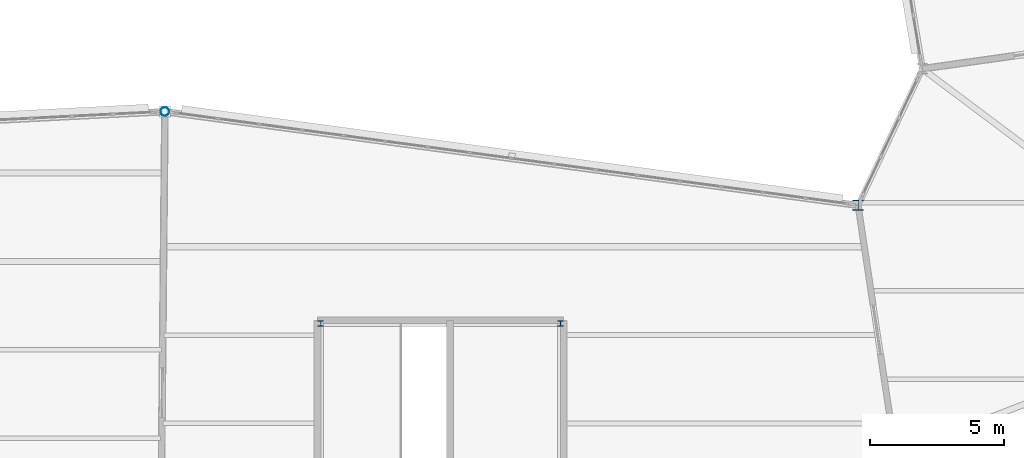
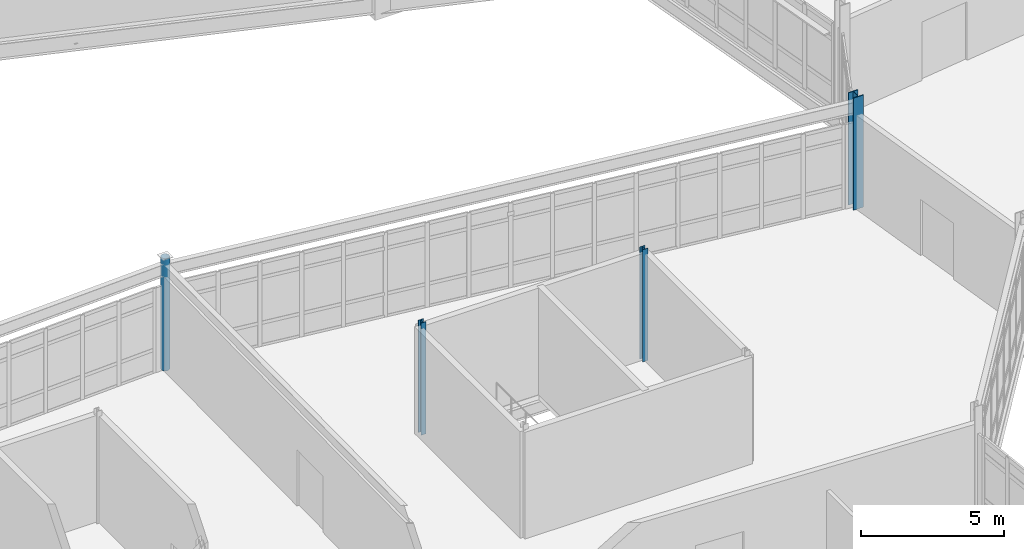
# One storey, part 7 of 134: 4 columns.
"""IFC4 building model written with IfcOpenShell, lengths in metres."""

from ifc_helpers import new_model, si_unit, direction, frame, origin, origin_2d, place, context, subcontext, project, spatial, hollow_circle, i_section, extrude, material, material_profile, profile_set, type_object, element, save


model = new_model("IFC4")

# Units and contexts
model_context = context("Model", 3, precision=1e-05, world=origin(), true_north=direction((0.0, 1.0)))
body_context = subcontext(model_context, "Body", "Model", "MODEL_VIEW")
ifc_project = project(units=[si_unit("LENGTHUNIT", "METRE"), si_unit("AREAUNIT", "SQUARE_METRE"), si_unit("VOLUMEUNIT", "CUBIC_METRE"), si_unit("PLANEANGLEUNIT", "RADIAN"), si_unit("MASSUNIT", "GRAM", prefix="KILO")], contexts=[model_context])

# Site, building, storey
site_placement = place(None, origin())
site = spatial("IfcSite", under=ifc_project, at=site_placement, CompositionType="ELEMENT")
building_placement = place(site_placement, origin())
building = spatial("IfcBuilding", under=site, at=building_placement, Name="Tameran Prism Museum", CompositionType="ELEMENT")
storey_placement = place(building_placement, frame((0.0, 0.0, 5.39990234375)))
storey = spatial("IfcBuildingStorey", under=building, at=storey_placement, Name="L01", CompositionType="ELEMENT", Elevation=5.39990234375)

# Columns
ifc_material_1 = material(Name="Steel Grade C350L0 (350 MPa)", Category="steel")
ifc_material_profile_1 = material_profile(ifc_material_1, hollow_circle(Radius=0.161865234375, WallThickness=0.010009765625, at=origin_2d()))
ifc_profile_set_1 = profile_set([ifc_material_profile_1])
column_type_1 = type_object("IfcColumnType", Name="COL-CHS324", PredefinedType="COLUMN", material=ifc_profile_set_1)
column_1_placement = place(storey_placement, frame((23.699951171875, 43.0, 0.0), z_axis=(0.0, 0.0, 1.0), x_axis=(1.0, 0.0, 0.0)))
element("IfcColumn", 1, at=column_1_placement, inside=storey, type_object=column_type_1, Name="Column CV-15 L01", PredefinedType="COLUMN", context=body_context, shape_type="SweptSolid", body=[
    extrude(hollow_circle(Radius=0.161865234375, WallThickness=0.010009765625, at=origin_2d()), origin(), (0.0, 0.0, 1.0), 4.800048828125),
])
ifc_material_2 = material(Name="Steel Grade 300PLUS (300 MPa)", Category="steel")
ifc_material_profile_2 = material_profile(ifc_material_2, i_section(OverallWidth=0.205078125, OverallDepth=0.2099609375, WebThickness=0.00927734375, FlangeThickness=0.01416015625, FilletRadius=0.01025390625, at=origin_2d()))
ifc_profile_set_2 = profile_set([ifc_material_profile_2])
column_type_2 = type_object("IfcColumnType", Name="COL-UC200", PredefinedType="COLUMN", material=ifc_profile_set_2)
for number, where, z_axis, x_axis, name in (
    (2, (38.47998046875, 35.080078125, 0.0), (0.0, 0.0, 1.0), (1.0, 0.0, 0.0), "Column CC-12-3 L01"),
    (3, (29.52001953125, 35.080078125, 0.0), (0.0, 0.0, 1.0), (1.0, 0.0, 0.0), "Column CC-12-4 L01"),
):
    element("IfcColumn", number, at=place(storey_placement, frame(where, z_axis=z_axis, x_axis=x_axis)), inside=storey, type_object=column_type_2, Name=name, PredefinedType="COLUMN", context=body_context, shape_type="SweptSolid", body=[
        extrude(i_section(OverallWidth=0.205078125, OverallDepth=0.2099609375, WebThickness=0.00927734375, FlangeThickness=0.01416015625, FilletRadius=0.01025390625, at=origin_2d()), origin(), (0.0, 0.0, 1.0), 4.800048828125),
    ])
ifc_material_3 = material(Name="Steel Grade 350 (350 MPa)", Category="steel")
ifc_material_profile_3 = material_profile(ifc_material_3, i_section(OverallWidth=0.39990234375, OverallDepth=0.39990234375, WebThickness=0.02197265625, FlangeThickness=0.035888671875, at=origin_2d()))
ifc_profile_set_3 = profile_set([ifc_material_profile_3])
column_type_3 = type_object("IfcColumnType", Name="COL-WC400", PredefinedType="COLUMN", material=ifc_profile_set_3)
column_2_placement = place(storey_placement, frame((49.60009765625, 39.5, 0.0), z_axis=(0.0, 0.0, 1.0), x_axis=(1.0, 0.0, 0.0)))
element("IfcColumn", 4, at=column_2_placement, inside=storey, type_object=column_type_3, Name="Column CV-25 L01", PredefinedType="COLUMN", context=body_context, shape_type="SweptSolid", body=[
    extrude(i_section(OverallWidth=0.39990234375, OverallDepth=0.39990234375, WebThickness=0.02197265625, FlangeThickness=0.035888671875, at=origin_2d()), origin(), (0.0, 0.0, 1.0), 4.800048828125),
])

save(model, "model.ifc")
